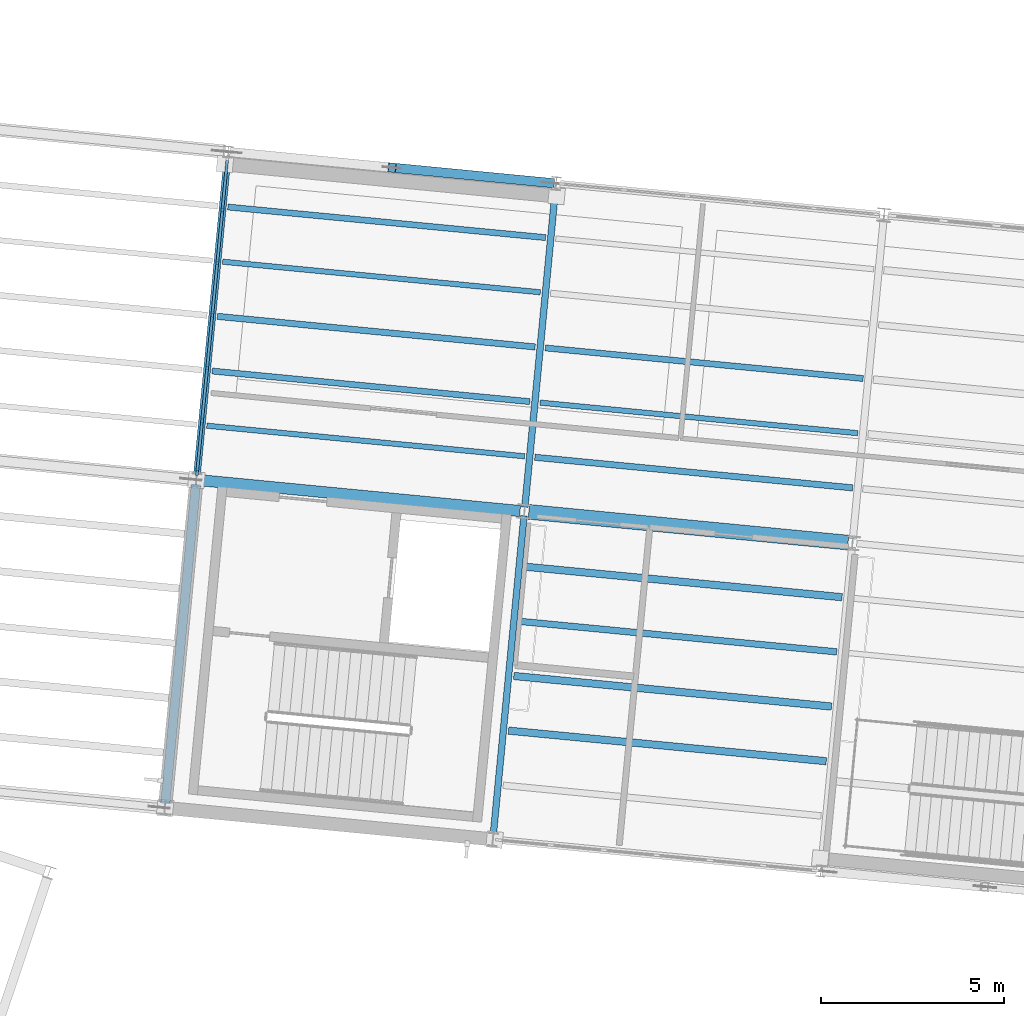
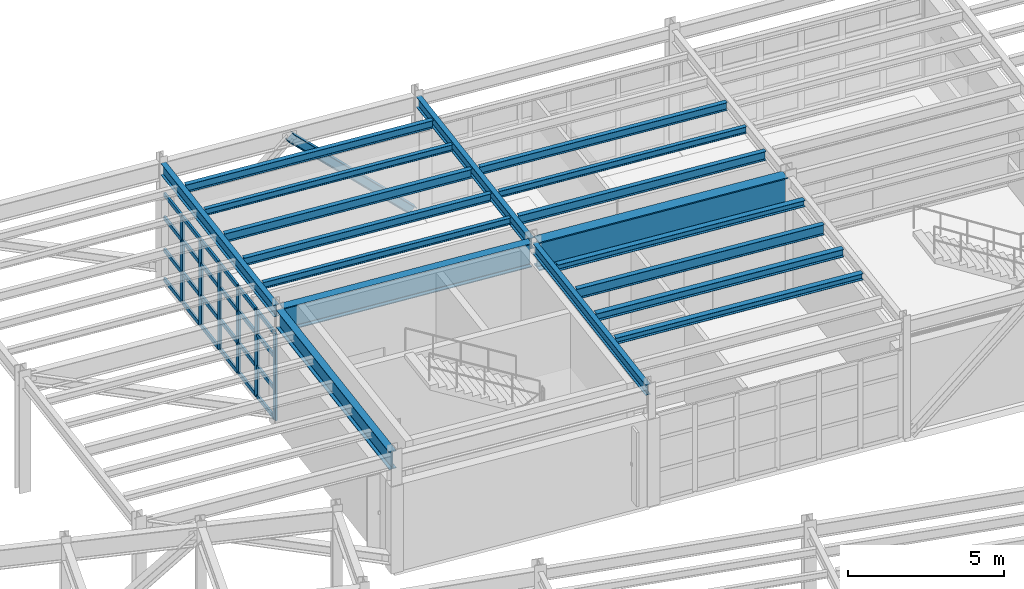
# One storey, part 47 of 109: 31 members, 18 beams, 1 element without a shape of its own.
"""IFC4 building model written with IfcOpenShell, lengths in metres."""

from ifc_helpers import new_model, si_unit, direction, frame, origin, origin_2d, place, context, subcontext, project, spatial, rectangle, i_section, extrude, material, layer, layer_set, material_profile, profile_set, type_object, element, aggregate, save


model = new_model("IFC4")

# Units and contexts
model_context = context("Model", 3, precision=1e-05, world=origin(), true_north=direction((0.0, 1.0)))
body_context = subcontext(model_context, "Body", "Model", "MODEL_VIEW")
ifc_project = project(units=[si_unit("LENGTHUNIT", "METRE"), si_unit("AREAUNIT", "SQUARE_METRE"), si_unit("VOLUMEUNIT", "CUBIC_METRE"), si_unit("PLANEANGLEUNIT", "RADIAN"), si_unit("MASSUNIT", "GRAM", prefix="KILO")], contexts=[model_context])

# Site, building, storey
site_placement = place(None, origin())
site = spatial("IfcSite", under=ifc_project, at=site_placement, CompositionType="ELEMENT")
building_placement = place(site_placement, origin())
building = spatial("IfcBuilding", under=site, at=building_placement, Name="Vireo Bluff Cable Station", CompositionType="ELEMENT")
storey_placement = place(building_placement, frame((0.0, 0.0, 4.800048828125)))
storey = spatial("IfcBuildingStorey", under=building, at=storey_placement, Name="L01", CompositionType="ELEMENT", Elevation=4.800048828125)

# Beams
ifc_material_1 = material(Name="Steel ASTM A992 Gr. 50", Category="steel")
ifc_material_profile_1 = material_profile(ifc_material_1, i_section(OverallWidth=0.178955078125, OverallDepth=0.408935546875, WebThickness=0.0087890625, FlangeThickness=0.014404296875, FilletRadius=0.010009765625, at=origin_2d()), Name="W16X45")
ifc_profile_set_1 = profile_set([ifc_material_profile_1], Name="Steel ASTM A992 Gr. 50")
beam_type_1 = type_object("IfcBeamType", Name="BM-W16X45", PredefinedType="BEAM", material=ifc_profile_set_1)
beam_1_placement = place(storey_placement, frame((76.708251953125, 66.2607421875, 4.33544921875), z_axis=(0.095844105487, 0.995396356957, 0.0), x_axis=(-0.995396356957, 0.095844105487, 0.0)))
element("IfcBeam", 1, at=beam_1_placement, inside=storey, type_object=beam_type_1, Name="V3 L01 beam 657", PredefinedType="BEAM", context=body_context, shape_type="SweptSolid", body=[
    extrude(i_section(OverallWidth=0.178955078125, OverallDepth=0.408935546875, WebThickness=0.0087890625, FlangeThickness=0.014404296875, FilletRadius=0.010009765625, at=origin_2d()), origin(), (0.0, 0.0, 1.0), 8.760009765625),
])
ifc_material_profile_2 = material_profile(ifc_material_1, i_section(OverallWidth=0.180908203125, OverallDepth=0.4169921875, WebThickness=0.010986328125, FlangeThickness=0.018310546875, FilletRadius=0.010009765625, at=origin_2d()), Name="W16X57")
ifc_profile_set_2 = profile_set([ifc_material_profile_2], Name="Steel ASTM A992 Gr. 50")
beam_type_2 = type_object("IfcBeamType", Name="BM-W16X57", PredefinedType="BEAM", material=ifc_profile_set_2)
beam_2_placement = place(storey_placement, frame((77.57080078125, 75.21923828125, 4.33154296875), z_axis=(0.095844105487, 0.995396356957, 0.0), x_axis=(-0.995396356957, 0.095844105487, 0.0)))
element("IfcBeam", 2, at=beam_2_placement, inside=storey, type_object=beam_type_2, Name="V3 L01 beam 658", PredefinedType="BEAM", context=body_context, shape_type="SweptSolid", body=[
    extrude(i_section(OverallWidth=0.180908203125, OverallDepth=0.4169921875, WebThickness=0.010986328125, FlangeThickness=0.018310546875, FilletRadius=0.010009765625, at=origin_2d()), origin(), (0.0, 0.0, 1.0), 8.760009765625),
])

# Member
ifc_material_profile_3 = material_profile(ifc_material_1, i_section(OverallWidth=0.25390625, OverallDepth=0.31005859375, WebThickness=0.009033203125, FlangeThickness=0.016357421875, FilletRadius=0.010986328125, at=origin_2d()), Name="W12X58")
ifc_profile_set_3 = profile_set([ifc_material_profile_3], Name="Steel ASTM A992 Gr. 50")
member_type_1 = type_object("IfcMemberType", Name="BRC-05", PredefinedType="BRACE", material=ifc_profile_set_3)
member_1_placement = place(storey_placement, frame((78.2626953125, 84.07373046875, 0.0400390625), z_axis=(-0.720263828031, 0.069360246565, 0.690224002934), x_axis=(-0.095854965264, -0.995395311238, 0.0)))
element("IfcMember", 3, at=member_1_placement, inside=storey, type_object=member_type_1, Name="V3 L01 concentric brace 52R", PredefinedType="BRACE", context=body_context, shape_type="SweptSolid", body=[
    extrude(i_section(OverallWidth=0.25390625, OverallDepth=0.31005859375, WebThickness=0.009033203125, FlangeThickness=0.016357421875, FilletRadius=0.010986328125, at=origin_2d()), origin(), (0.0, 0.0, 1.0), 5.997802734375),
])

# Curtain wall, members
ifc_material_2 = material(Name="Anodized Aluminium 6063-T6", Category="aluminium")
ifc_layer = layer(ifc_material_2, 0.179931640625, Name="Anodized Aluminium 6063-T6")
ifc_layer_set = layer_set([ifc_layer], Name="Anodized Aluminium 6063-T6")
curtain_wall_type = type_object("IfcCurtainWallType", Name="CW-UNIT-1500", PredefinedType="USERDEFINED", material=ifc_layer_set)
curtain_wall_placement = place(storey_placement, origin())
curtain_wall = element("IfcCurtainWall", 4, at=curtain_wall_placement, inside=storey, type_object=curtain_wall_type, Name="V3 L01 west curtain wall CW-073", ObjectType="UNITISED CURTAIN WALL", PredefinedType="USERDEFINED")
ifc_material_profile_4 = material_profile(ifc_material_2, rectangle(XDim=0.074951171875, YDim=0.2099609375, at=origin_2d()), Name="ALU-M-75X210")
ifc_profile_set_4 = profile_set([ifc_material_profile_4], Name="Anodized Aluminium 6063-T6")
member_type_2 = type_object("IfcMemberType", Name="CWM-02", PredefinedType="MULLION", material=ifc_profile_set_4)
member_2_placement = place(storey_placement, frame((68.621826171875, 76.182373046875, 0.0), z_axis=(0.0, 0.0, 1.0), x_axis=(-0.995396201203, 0.095845723073, 0.0)))
member_2 = element("IfcMember", 5, at=member_2_placement, type_object=member_type_2, Name="CW-073 mullion 1", PredefinedType="MULLION", context=body_context, shape_type="SweptSolid", body=[
    extrude(rectangle(XDim=0.074951171875, YDim=0.2099609375, at=origin_2d()), origin(), (0.0, 0.0, 1.0), 3.39990234375),
])
member_3_placement = place(storey_placement, frame((68.756591796875, 77.581787109375, 0.0), z_axis=(0.0, 0.0, 1.0), x_axis=(-0.995396201203, 0.095845723073, 0.0)))
member_3 = element("IfcMember", 6, at=member_3_placement, type_object=member_type_2, Name="CW-073 mullion 2", PredefinedType="MULLION", context=body_context, shape_type="SweptSolid", body=[
    extrude(rectangle(XDim=0.074951171875, YDim=0.2099609375, at=origin_2d()), origin(), (0.0, 0.0, 1.0), 3.39990234375),
])
member_4_placement = place(storey_placement, frame((68.89501953125, 79.018310546875, 0.0), z_axis=(0.0, 0.0, 1.0), x_axis=(-0.995396201203, 0.095845723073, 0.0)))
member_4 = element("IfcMember", 7, at=member_4_placement, type_object=member_type_2, Name="CW-073 mullion 3", PredefinedType="MULLION", context=body_context, shape_type="SweptSolid", body=[
    extrude(rectangle(XDim=0.074951171875, YDim=0.2099609375, at=origin_2d()), origin(), (0.0, 0.0, 1.0), 3.39990234375),
])
member_5_placement = place(storey_placement, frame((69.033203125, 80.454833984375, 0.0), z_axis=(0.0, 0.0, 1.0), x_axis=(-0.995396201203, 0.095845723073, 0.0)))
member_5 = element("IfcMember", 8, at=member_5_placement, type_object=member_type_2, Name="CW-073 mullion 4", PredefinedType="MULLION", context=body_context, shape_type="SweptSolid", body=[
    extrude(rectangle(XDim=0.074951171875, YDim=0.2099609375, at=origin_2d()), origin(), (0.0, 0.0, 1.0), 3.39990234375),
])
member_6_placement = place(storey_placement, frame((69.171630859375, 81.8916015625, 0.0), z_axis=(0.0, 0.0, 1.0), x_axis=(-0.995396201203, 0.095845723073, 0.0)))
member_6 = element("IfcMember", 9, at=member_6_placement, type_object=member_type_2, Name="CW-073 mullion 5", PredefinedType="MULLION", context=body_context, shape_type="SweptSolid", body=[
    extrude(rectangle(XDim=0.074951171875, YDim=0.2099609375, at=origin_2d()), origin(), (0.0, 0.0, 1.0), 3.39990234375),
])
member_7_placement = place(storey_placement, frame((69.31005859375, 83.328125, 0.0), z_axis=(0.0, 0.0, 1.0), x_axis=(-0.995396201203, 0.095845723073, 0.0)))
member_7 = element("IfcMember", 10, at=member_7_placement, type_object=member_type_2, Name="CW-073 mullion 6", PredefinedType="MULLION", context=body_context, shape_type="SweptSolid", body=[
    extrude(rectangle(XDim=0.074951171875, YDim=0.2099609375, at=origin_2d()), origin(), (0.0, 0.0, 1.0), 3.39990234375),
])
ifc_material_profile_5 = material_profile(ifc_material_2, rectangle(XDim=0.074951171875, YDim=0.159912109375, at=origin_2d()), Name="ALU-T-75X160")
ifc_profile_set_5 = profile_set([ifc_material_profile_5], Name="Anodized Aluminium 6063-T6")
member_type_3 = type_object("IfcMemberType", Name="CWT-02", PredefinedType="USERDEFINED", material=ifc_profile_set_5)
member_8_placement = place(storey_placement, frame((68.62548828125, 76.2197265625, 0.037353515625), z_axis=(0.095761344682, 0.995404322306, 0.0), x_axis=(-0.995404322306, 0.095761344682, 0.0)))
member_8 = element("IfcMember", 11, at=member_8_placement, type_object=member_type_3, Name="CW-073 transom 1.1", ObjectType="TRANSOM", PredefinedType="USERDEFINED", context=body_context, shape_type="SweptSolid", body=[
    extrude(rectangle(XDim=0.074951171875, YDim=0.159912109375, at=origin_2d()), origin(), (0.0, 0.0, 1.0), 1.330810546875),
])
member_9_placement = place(storey_placement, frame((68.62548828125, 76.2197265625, 1.18994140625), z_axis=(0.095761344682, 0.995404322306, 0.0), x_axis=(-0.995404322306, 0.095761344682, 0.0)))
member_9 = element("IfcMember", 12, at=member_9_placement, type_object=member_type_3, Name="CW-073 transom 1.2", ObjectType="TRANSOM", PredefinedType="USERDEFINED", context=body_context, shape_type="SweptSolid", body=[
    extrude(rectangle(XDim=0.074951171875, YDim=0.159912109375, at=origin_2d()), origin(), (0.0, 0.0, 1.0), 1.330810546875),
])
member_10_placement = place(storey_placement, frame((68.62548828125, 76.2197265625, 2.447998046875), z_axis=(0.095761344682, 0.995404322306, 0.0), x_axis=(-0.995404322306, 0.095761344682, 0.0)))
member_10 = element("IfcMember", 13, at=member_10_placement, type_object=member_type_3, Name="CW-073 transom 1.3", ObjectType="TRANSOM", PredefinedType="USERDEFINED", context=body_context, shape_type="SweptSolid", body=[
    extrude(rectangle(XDim=0.074951171875, YDim=0.159912109375, at=origin_2d()), origin(), (0.0, 0.0, 1.0), 1.330810546875),
])
member_11_placement = place(storey_placement, frame((68.62548828125, 76.2197265625, 3.362548828125), z_axis=(0.095761344682, 0.995404322306, 0.0), x_axis=(-0.995404322306, 0.095761344682, 0.0)))
member_11 = element("IfcMember", 14, at=member_11_placement, type_object=member_type_3, Name="CW-073 transom 1.4", ObjectType="TRANSOM", PredefinedType="USERDEFINED", context=body_context, shape_type="SweptSolid", body=[
    extrude(rectangle(XDim=0.074951171875, YDim=0.159912109375, at=origin_2d()), origin(), (0.0, 0.0, 1.0), 1.330810546875),
])
member_12_placement = place(storey_placement, frame((68.76025390625, 77.619140625, 0.037353515625), z_axis=(0.095828016408, 0.995397906001, 0.0), x_axis=(-0.995397906001, 0.095828016408, 0.0)))
member_12 = element("IfcMember", 15, at=member_12_placement, type_object=member_type_3, Name="CW-073 transom 2.1", ObjectType="TRANSOM", PredefinedType="USERDEFINED", context=body_context, shape_type="SweptSolid", body=[
    extrude(rectangle(XDim=0.074951171875, YDim=0.159912109375, at=origin_2d()), origin(), (0.0, 0.0, 1.0), 1.3681640625),
])
member_13_placement = place(storey_placement, frame((68.76025390625, 77.619140625, 1.18994140625), z_axis=(0.095828016408, 0.995397906001, 0.0), x_axis=(-0.995397906001, 0.095828016408, 0.0)))
member_13 = element("IfcMember", 16, at=member_13_placement, type_object=member_type_3, Name="CW-073 transom 2.2", ObjectType="TRANSOM", PredefinedType="USERDEFINED", context=body_context, shape_type="SweptSolid", body=[
    extrude(rectangle(XDim=0.074951171875, YDim=0.159912109375, at=origin_2d()), origin(), (0.0, 0.0, 1.0), 1.3681640625),
])
member_14_placement = place(storey_placement, frame((68.76025390625, 77.619140625, 2.447998046875), z_axis=(0.095828016408, 0.995397906001, 0.0), x_axis=(-0.995397906001, 0.095828016408, 0.0)))
member_14 = element("IfcMember", 17, at=member_14_placement, type_object=member_type_3, Name="CW-073 transom 2.3", ObjectType="TRANSOM", PredefinedType="USERDEFINED", context=body_context, shape_type="SweptSolid", body=[
    extrude(rectangle(XDim=0.074951171875, YDim=0.159912109375, at=origin_2d()), origin(), (0.0, 0.0, 1.0), 1.3681640625),
])
member_15_placement = place(storey_placement, frame((68.76025390625, 77.619140625, 3.362548828125), z_axis=(0.095828016408, 0.995397906001, 0.0), x_axis=(-0.995397906001, 0.095828016408, 0.0)))
member_15 = element("IfcMember", 18, at=member_15_placement, type_object=member_type_3, Name="CW-073 transom 2.4", ObjectType="TRANSOM", PredefinedType="USERDEFINED", context=body_context, shape_type="SweptSolid", body=[
    extrude(rectangle(XDim=0.074951171875, YDim=0.159912109375, at=origin_2d()), origin(), (0.0, 0.0, 1.0), 1.3681640625),
])
member_16_placement = place(storey_placement, frame((68.8984375, 79.0556640625, 0.037353515625), z_axis=(0.096004823838, 0.995380868713, 0.0), x_axis=(-0.995380868713, 0.096004823838, 0.0)))
member_16 = element("IfcMember", 19, at=member_16_placement, type_object=member_type_3, Name="CW-073 transom 3.1", ObjectType="TRANSOM", PredefinedType="USERDEFINED", context=body_context, shape_type="SweptSolid", body=[
    extrude(rectangle(XDim=0.074951171875, YDim=0.159912109375, at=origin_2d()), origin(), (0.0, 0.0, 1.0), 1.3681640625),
])
member_17_placement = place(storey_placement, frame((68.8984375, 79.0556640625, 1.18994140625), z_axis=(0.096004823838, 0.995380868713, 0.0), x_axis=(-0.995380868713, 0.096004823838, 0.0)))
member_17 = element("IfcMember", 20, at=member_17_placement, type_object=member_type_3, Name="CW-073 transom 3.2", ObjectType="TRANSOM", PredefinedType="USERDEFINED", context=body_context, shape_type="SweptSolid", body=[
    extrude(rectangle(XDim=0.074951171875, YDim=0.159912109375, at=origin_2d()), origin(), (0.0, 0.0, 1.0), 1.3681640625),
])
member_18_placement = place(storey_placement, frame((68.8984375, 79.0556640625, 2.447998046875), z_axis=(0.096004823838, 0.995380868713, 0.0), x_axis=(-0.995380868713, 0.096004823838, 0.0)))
member_18 = element("IfcMember", 21, at=member_18_placement, type_object=member_type_3, Name="CW-073 transom 3.3", ObjectType="TRANSOM", PredefinedType="USERDEFINED", context=body_context, shape_type="SweptSolid", body=[
    extrude(rectangle(XDim=0.074951171875, YDim=0.159912109375, at=origin_2d()), origin(), (0.0, 0.0, 1.0), 1.3681640625),
])
member_19_placement = place(storey_placement, frame((68.8984375, 79.0556640625, 3.362548828125), z_axis=(0.096004823838, 0.995380868713, 0.0), x_axis=(-0.995380868713, 0.096004823838, 0.0)))
member_19 = element("IfcMember", 22, at=member_19_placement, type_object=member_type_3, Name="CW-073 transom 3.4", ObjectType="TRANSOM", PredefinedType="USERDEFINED", context=body_context, shape_type="SweptSolid", body=[
    extrude(rectangle(XDim=0.074951171875, YDim=0.159912109375, at=origin_2d()), origin(), (0.0, 0.0, 1.0), 1.3681640625),
])
member_20_placement = place(storey_placement, frame((69.036865234375, 80.4921875, 0.037353515625), z_axis=(0.09581099754, 0.995399544279, 0.0), x_axis=(-0.995399544279, 0.09581099754, 0.0)))
member_20 = element("IfcMember", 23, at=member_20_placement, type_object=member_type_3, Name="CW-073 transom 4.1", ObjectType="TRANSOM", PredefinedType="USERDEFINED", context=body_context, shape_type="SweptSolid", body=[
    extrude(rectangle(XDim=0.074951171875, YDim=0.159912109375, at=origin_2d()), origin(), (0.0, 0.0, 1.0), 1.368408203125),
])
member_21_placement = place(storey_placement, frame((69.036865234375, 80.4921875, 1.18994140625), z_axis=(0.09581099754, 0.995399544279, 0.0), x_axis=(-0.995399544279, 0.09581099754, 0.0)))
member_21 = element("IfcMember", 24, at=member_21_placement, type_object=member_type_3, Name="CW-073 transom 4.2", ObjectType="TRANSOM", PredefinedType="USERDEFINED", context=body_context, shape_type="SweptSolid", body=[
    extrude(rectangle(XDim=0.074951171875, YDim=0.159912109375, at=origin_2d()), origin(), (0.0, 0.0, 1.0), 1.368408203125),
])
member_22_placement = place(storey_placement, frame((69.036865234375, 80.4921875, 2.447998046875), z_axis=(0.09581099754, 0.995399544279, 0.0), x_axis=(-0.995399544279, 0.09581099754, 0.0)))
member_22 = element("IfcMember", 25, at=member_22_placement, type_object=member_type_3, Name="CW-073 transom 4.3", ObjectType="TRANSOM", PredefinedType="USERDEFINED", context=body_context, shape_type="SweptSolid", body=[
    extrude(rectangle(XDim=0.074951171875, YDim=0.159912109375, at=origin_2d()), origin(), (0.0, 0.0, 1.0), 1.368408203125),
])
member_23_placement = place(storey_placement, frame((69.036865234375, 80.4921875, 3.362548828125), z_axis=(0.09581099754, 0.995399544279, 0.0), x_axis=(-0.995399544279, 0.09581099754, 0.0)))
member_23 = element("IfcMember", 26, at=member_23_placement, type_object=member_type_3, Name="CW-073 transom 4.4", ObjectType="TRANSOM", PredefinedType="USERDEFINED", context=body_context, shape_type="SweptSolid", body=[
    extrude(rectangle(XDim=0.074951171875, YDim=0.159912109375, at=origin_2d()), origin(), (0.0, 0.0, 1.0), 1.368408203125),
])
member_24_placement = place(storey_placement, frame((69.17529296875, 81.928955078125, 0.037353515625), z_axis=(0.095828016408, 0.995397906001, 0.0), x_axis=(-0.995397906001, 0.095828016408, 0.0)))
member_24 = element("IfcMember", 27, at=member_24_placement, type_object=member_type_3, Name="CW-073 transom 5.1", ObjectType="TRANSOM", PredefinedType="USERDEFINED", context=body_context, shape_type="SweptSolid", body=[
    extrude(rectangle(XDim=0.074951171875, YDim=0.159912109375, at=origin_2d()), origin(), (0.0, 0.0, 1.0), 1.3681640625),
])
member_25_placement = place(storey_placement, frame((69.17529296875, 81.928955078125, 1.18994140625), z_axis=(0.095828016408, 0.995397906001, 0.0), x_axis=(-0.995397906001, 0.095828016408, 0.0)))
member_25 = element("IfcMember", 28, at=member_25_placement, type_object=member_type_3, Name="CW-073 transom 5.2", ObjectType="TRANSOM", PredefinedType="USERDEFINED", context=body_context, shape_type="SweptSolid", body=[
    extrude(rectangle(XDim=0.074951171875, YDim=0.159912109375, at=origin_2d()), origin(), (0.0, 0.0, 1.0), 1.3681640625),
])
member_26_placement = place(storey_placement, frame((69.17529296875, 81.928955078125, 2.447998046875), z_axis=(0.095828016408, 0.995397906001, 0.0), x_axis=(-0.995397906001, 0.095828016408, 0.0)))
member_26 = element("IfcMember", 29, at=member_26_placement, type_object=member_type_3, Name="CW-073 transom 5.3", ObjectType="TRANSOM", PredefinedType="USERDEFINED", context=body_context, shape_type="SweptSolid", body=[
    extrude(rectangle(XDim=0.074951171875, YDim=0.159912109375, at=origin_2d()), origin(), (0.0, 0.0, 1.0), 1.3681640625),
])
member_27_placement = place(storey_placement, frame((69.17529296875, 81.928955078125, 3.362548828125), z_axis=(0.095828016408, 0.995397906001, 0.0), x_axis=(-0.995397906001, 0.095828016408, 0.0)))
member_27 = element("IfcMember", 30, at=member_27_placement, type_object=member_type_3, Name="CW-073 transom 5.4", ObjectType="TRANSOM", PredefinedType="USERDEFINED", context=body_context, shape_type="SweptSolid", body=[
    extrude(rectangle(XDim=0.074951171875, YDim=0.159912109375, at=origin_2d()), origin(), (0.0, 0.0, 1.0), 1.3681640625),
])
member_28_placement = place(storey_placement, frame((69.3134765625, 83.365478515625, 0.037353515625), z_axis=(0.095943108454, 0.995386819252, 0.0), x_axis=(-0.995386819252, 0.095943108454, 0.0)))
member_28 = element("IfcMember", 31, at=member_28_placement, type_object=member_type_3, Name="CW-073 transom 6.1", ObjectType="TRANSOM", PredefinedType="USERDEFINED", context=body_context, shape_type="SweptSolid", body=[
    extrude(rectangle(XDim=0.074951171875, YDim=0.159912109375, at=origin_2d()), origin(), (0.0, 0.0, 1.0), 1.330810546875),
])
member_29_placement = place(storey_placement, frame((69.3134765625, 83.365478515625, 1.18994140625), z_axis=(0.095943108454, 0.995386819252, 0.0), x_axis=(-0.995386819252, 0.095943108454, 0.0)))
member_29 = element("IfcMember", 32, at=member_29_placement, type_object=member_type_3, Name="CW-073 transom 6.2", ObjectType="TRANSOM", PredefinedType="USERDEFINED", context=body_context, shape_type="SweptSolid", body=[
    extrude(rectangle(XDim=0.074951171875, YDim=0.159912109375, at=origin_2d()), origin(), (0.0, 0.0, 1.0), 1.330810546875),
])
member_30_placement = place(storey_placement, frame((69.3134765625, 83.365478515625, 2.447998046875), z_axis=(0.095943108454, 0.995386819252, 0.0), x_axis=(-0.995386819252, 0.095943108454, 0.0)))
member_30 = element("IfcMember", 33, at=member_30_placement, type_object=member_type_3, Name="CW-073 transom 6.3", ObjectType="TRANSOM", PredefinedType="USERDEFINED", context=body_context, shape_type="SweptSolid", body=[
    extrude(rectangle(XDim=0.074951171875, YDim=0.159912109375, at=origin_2d()), origin(), (0.0, 0.0, 1.0), 1.330810546875),
])
member_31_placement = place(storey_placement, frame((69.3134765625, 83.365478515625, 3.362548828125), z_axis=(0.095943108454, 0.995386819252, 0.0), x_axis=(-0.995386819252, 0.095943108454, 0.0)))
member_31 = element("IfcMember", 34, at=member_31_placement, type_object=member_type_3, Name="CW-073 transom 6.4", ObjectType="TRANSOM", PredefinedType="USERDEFINED", context=body_context, shape_type="SweptSolid", body=[
    extrude(rectangle(XDim=0.074951171875, YDim=0.159912109375, at=origin_2d()), origin(), (0.0, 0.0, 1.0), 1.330810546875),
])
aggregate(curtain_wall, [member_2, member_3, member_4, member_5, member_6, member_7, member_8, member_9, member_10, member_11, member_12, member_13, member_14, member_15, member_16, member_17, member_18, member_19, member_20, member_21, member_22, member_23, member_24, member_25, member_26, member_27, member_28, member_29, member_30, member_31])

# Beams
ifc_material_profile_6 = material_profile(ifc_material_1, i_section(OverallWidth=0.306884765625, OverallDepth=0.927001953125, WebThickness=0.019287109375, FlangeThickness=0.031982421875, FilletRadius=0.02001953125, at=origin_2d()), Name="W36X194")
ifc_profile_set_6 = profile_set([ifc_material_profile_6], Name="Steel ASTM A992 Gr. 50")
beam_type_3 = type_object("IfcBeamType", Name="GIR-W36X194", PredefinedType="USERDEFINED", material=ifc_profile_set_6)
beam_3_placement = place(storey_placement, frame((68.72021484375, 75.950927734375, 4.076416015625), z_axis=(0.995396356957, -0.095844105487, 0.0), x_axis=(0.095844105487, 0.995396356957, 0.0)))
element("IfcBeam", 35, at=beam_3_placement, inside=storey, type_object=beam_type_3, Name="V3 L01 girder 647", ObjectType="GIRDER", PredefinedType="USERDEFINED", context=body_context, shape_type="SweptSolid", body=[
    extrude(i_section(OverallWidth=0.306884765625, OverallDepth=0.927001953125, WebThickness=0.019287109375, FlangeThickness=0.031982421875, FilletRadius=0.02001953125, at=origin_2d()), origin(), (0.0, 0.0, 1.0), 8.760009765625),
])
ifc_material_profile_7 = material_profile(ifc_material_1, i_section(OverallWidth=0.404052734375, OverallDepth=1.117919921875, WebThickness=0.026123046875, FlangeThickness=0.044921875, FilletRadius=0.02197265625, at=origin_2d()), Name="W44X335")
ifc_profile_set_7 = profile_set([ifc_material_profile_7], Name="Steel ASTM A992 Gr. 50")
beam_type_4 = type_object("IfcBeamType", Name="GIR-W44X335", PredefinedType="USERDEFINED", material=ifc_profile_set_7)
beam_4_placement = place(storey_placement, frame((77.6787109375, 75.08837890625, 3.98095703125), z_axis=(0.995396356957, -0.095844105487, 0.0), x_axis=(0.095844105487, 0.995396356957, 0.0)))
element("IfcBeam", 36, at=beam_4_placement, inside=storey, type_object=beam_type_4, Name="V3 L01 girder 648", ObjectType="GIRDER", PredefinedType="USERDEFINED", context=body_context, shape_type="SweptSolid", body=[
    extrude(i_section(OverallWidth=0.404052734375, OverallDepth=1.117919921875, WebThickness=0.026123046875, FlangeThickness=0.044921875, FilletRadius=0.02197265625, at=origin_2d()), origin(), (0.0, 0.0, 1.0), 8.760009765625),
])
ifc_material_profile_8 = material_profile(ifc_material_1, i_section(OverallWidth=0.14599609375, OverallDepth=0.259033203125, WebThickness=0.006103515625, FlangeThickness=0.009033203125, FilletRadius=0.009033203125, at=origin_2d()), Name="W10X22")
ifc_profile_set_8 = profile_set([ifc_material_profile_8], Name="Steel ASTM A992 Gr. 50")
beam_type_5 = type_object("IfcBeamType", Name="JST-W10X22", PredefinedType="JOIST", material=ifc_profile_set_8)
beam_5_placement = place(storey_placement, frame((68.8837890625, 77.442138671875, 4.410400390625), z_axis=(0.995397172011, -0.095835640306, 0.0), x_axis=(0.095835640306, 0.995397172011, 0.0)))
element("IfcBeam", 37, at=beam_5_placement, inside=storey, type_object=beam_type_5, Name="V3 L01 composite joist 665", PredefinedType="JOIST", context=body_context, shape_type="SweptSolid", body=[
    extrude(i_section(OverallWidth=0.14599609375, OverallDepth=0.259033203125, WebThickness=0.006103515625, FlangeThickness=0.009033203125, FilletRadius=0.009033203125, at=origin_2d()), origin(), (0.0, 0.0, 1.0), 8.719970703125),
])
beam_6_placement = place(storey_placement, frame((69.315185546875, 81.92138671875, 4.410400390625), z_axis=(0.995396914857, -0.095838311194, 0.0), x_axis=(0.095838311194, 0.995396914857, 0.0)))
element("IfcBeam", 38, at=beam_6_placement, inside=storey, type_object=beam_type_5, Name="V3 L01 composite joist 668", PredefinedType="JOIST", context=body_context, shape_type="SweptSolid", body=[
    extrude(i_section(OverallWidth=0.14599609375, OverallDepth=0.259033203125, WebThickness=0.006103515625, FlangeThickness=0.009033203125, FilletRadius=0.009033203125, at=origin_2d()), origin(), (0.0, 0.0, 1.0), 8.7197265625),
])
beam_7_placement = place(storey_placement, frame((77.986083984375, 78.072509765625, 4.410400390625), z_axis=(0.995397172011, -0.095835640306, 0.0), x_axis=(0.095835640306, 0.995397172011, 0.0)))
element("IfcBeam", 39, at=beam_7_placement, inside=storey, type_object=beam_type_5, Name="V3 L01 composite joist 676", PredefinedType="JOIST", context=body_context, shape_type="SweptSolid", body=[
    extrude(i_section(OverallWidth=0.14599609375, OverallDepth=0.259033203125, WebThickness=0.006103515625, FlangeThickness=0.009033203125, FilletRadius=0.009033203125, at=origin_2d()), origin(), (0.0, 0.0, 1.0), 8.719970703125),
])
ifc_material_profile_9 = material_profile(ifc_material_1, i_section(OverallWidth=0.201904296875, OverallDepth=0.2470703125, WebThickness=0.00732421875, FlangeThickness=0.010986328125, FilletRadius=0.009033203125, at=origin_2d()), Name="W10X33")
ifc_profile_set_9 = profile_set([ifc_material_profile_9], Name="Steel ASTM A992 Gr. 50")
beam_type_6 = type_object("IfcBeamType", Name="JST-W10X33", PredefinedType="JOIST", material=ifc_profile_set_9)
beam_8_placement = place(storey_placement, frame((77.12353515625, 69.114013671875, 4.41650390625), z_axis=(0.995397172011, -0.095835640306, 0.0), x_axis=(0.095835640306, 0.995397172011, 0.0)))
element("IfcBeam", 40, at=beam_8_placement, inside=storey, type_object=beam_type_6, Name="V3 L01 composite joist 671", PredefinedType="JOIST", context=body_context, shape_type="SweptSolid", body=[
    extrude(i_section(OverallWidth=0.201904296875, OverallDepth=0.2470703125, WebThickness=0.00732421875, FlangeThickness=0.010986328125, FilletRadius=0.009033203125, at=origin_2d()), origin(), (0.0, 0.0, 1.0), 8.719970703125),
])
beam_9_placement = place(storey_placement, frame((77.554931640625, 73.59326171875, 4.41650390625), z_axis=(0.995396914857, -0.095838311194, 0.0), x_axis=(0.095838311194, 0.995396914857, 0.0)))
element("IfcBeam", 41, at=beam_9_placement, inside=storey, type_object=beam_type_6, Name="V3 L01 composite joist 674", PredefinedType="JOIST", context=body_context, shape_type="SweptSolid", body=[
    extrude(i_section(OverallWidth=0.201904296875, OverallDepth=0.2470703125, WebThickness=0.00732421875, FlangeThickness=0.010986328125, FilletRadius=0.009033203125, at=origin_2d()), origin(), (0.0, 0.0, 1.0), 8.7197265625),
])
ifc_material_profile_10 = material_profile(ifc_material_1, i_section(OverallWidth=0.1650390625, OverallDepth=0.31005859375, WebThickness=0.005859375, FlangeThickness=0.009765625, FilletRadius=0.010009765625, at=origin_2d()), Name="W12X26")
ifc_profile_set_10 = profile_set([ifc_material_profile_10], Name="Steel ASTM A992 Gr. 50")
beam_type_7 = type_object("IfcBeamType", Name="JST-W12X26", PredefinedType="JOIST", material=ifc_profile_set_10)
for number, where, z_axis, x_axis, name in (
    (42, (69.027587890625, 78.935302734375, 4.385009765625), (0.995394500818, -0.095863380609, 0.0), (0.095863380609, 0.995394500818, 0.0), "V3 L01 composite joist 666"),
    (43, (69.458984375, 83.41455078125, 4.385009765625), (0.995394243516, -0.095866052256, 0.0), (0.095866052256, 0.995394243516, 0.0), "V3 L01 composite joist 669"),
    (44, (78.1298828125, 79.565673828125, 4.385009765625), (0.995397172011, -0.095835640306, 0.0), (0.095835640306, 0.995397172011, 0.0), "V3 L01 composite joist 677"),
):
    element("IfcBeam", number, at=place(storey_placement, frame(where, z_axis=z_axis, x_axis=x_axis)), inside=storey, type_object=beam_type_7, Name=name, PredefinedType="JOIST", context=body_context, shape_type="SweptSolid", body=[
        extrude(i_section(OverallWidth=0.1650390625, OverallDepth=0.31005859375, WebThickness=0.005859375, FlangeThickness=0.009765625, FilletRadius=0.010009765625, at=origin_2d()), origin(), (0.0, 0.0, 1.0), 8.719970703125),
    ])
ifc_material_profile_11 = material_profile(ifc_material_1, i_section(OverallWidth=0.202880859375, OverallDepth=0.302978515625, WebThickness=0.007568359375, FlangeThickness=0.01318359375, FilletRadius=0.010009765625, at=origin_2d()), Name="W12X40")
ifc_profile_set_11 = profile_set([ifc_material_profile_11], Name="Steel ASTM A992 Gr. 50")
beam_type_8 = type_object("IfcBeamType", Name="JST-W12X40", PredefinedType="JOIST", material=ifc_profile_set_11)
beam_10_placement = place(storey_placement, frame((77.267333984375, 70.607177734375, 4.388427734375), z_axis=(0.995394500818, -0.095863380609, 0.0), x_axis=(0.095863380609, 0.995394500818, 0.0)))
element("IfcBeam", 45, at=beam_10_placement, inside=storey, type_object=beam_type_8, Name="V3 L01 composite joist 672", PredefinedType="JOIST", context=body_context, shape_type="SweptSolid", body=[
    extrude(i_section(OverallWidth=0.202880859375, OverallDepth=0.302978515625, WebThickness=0.007568359375, FlangeThickness=0.01318359375, FilletRadius=0.010009765625, at=origin_2d()), origin(), (0.0, 0.0, 1.0), 8.719970703125),
])
ifc_material_profile_12 = material_profile(ifc_material_1, i_section(OverallWidth=0.1708984375, OverallDepth=0.35107421875, WebThickness=0.0068359375, FlangeThickness=0.009765625, FilletRadius=0.010009765625, at=origin_2d()), Name="W14X30")
ifc_profile_set_12 = profile_set([ifc_material_profile_12], Name="Steel ASTM A992 Gr. 50")
beam_type_9 = type_object("IfcBeamType", Name="JST-W14X30", PredefinedType="JOIST", material=ifc_profile_set_12)
for number, where, z_axis, x_axis, name in (
    (46, (69.17138671875, 80.42822265625, 4.364501953125), (0.995397172011, -0.095835640306, 0.0), (0.095835640306, 0.995397172011, 0.0), "V3 L01 composite joist 667"),
    (47, (77.84228515625, 76.57958984375, 4.364501953125), (0.995394500818, -0.095863380609, 0.0), (0.095863380609, 0.995394500818, 0.0), "V3 L01 composite joist 675"),
):
    element("IfcBeam", number, at=place(storey_placement, frame(where, z_axis=z_axis, x_axis=x_axis)), inside=storey, type_object=beam_type_9, Name=name, PredefinedType="JOIST", context=body_context, shape_type="SweptSolid", body=[
        extrude(i_section(OverallWidth=0.1708984375, OverallDepth=0.35107421875, WebThickness=0.0068359375, FlangeThickness=0.009765625, FilletRadius=0.010009765625, at=origin_2d()), origin(), (0.0, 0.0, 1.0), 8.719970703125),
    ])
ifc_material_profile_13 = material_profile(ifc_material_1, i_section(OverallWidth=0.177978515625, OverallDepth=0.404052734375, WebThickness=0.007568359375, FlangeThickness=0.010986328125, FilletRadius=0.010009765625, at=origin_2d()), Name="W16X36")
ifc_profile_set_13 = profile_set([ifc_material_profile_13], Name="Steel ASTM A992 Gr. 50")
beam_type_10 = type_object("IfcBeamType", Name="JST-W16X36", PredefinedType="JOIST", material=ifc_profile_set_13)
beam_11_placement = place(storey_placement, frame((77.4111328125, 72.100341796875, 4.337890625), z_axis=(0.995394500818, -0.095863380609, 0.0), x_axis=(0.095863380609, 0.995394500818, 0.0)))
element("IfcBeam", 48, at=beam_11_placement, inside=storey, type_object=beam_type_10, Name="V3 L01 composite joist 673", PredefinedType="JOIST", context=body_context, shape_type="SweptSolid", body=[
    extrude(i_section(OverallWidth=0.177978515625, OverallDepth=0.404052734375, WebThickness=0.007568359375, FlangeThickness=0.010986328125, FilletRadius=0.010009765625, at=origin_2d()), origin(), (0.0, 0.0, 1.0), 8.719970703125),
])
ifc_material_profile_14 = material_profile(ifc_material_1, i_section(OverallWidth=0.19091796875, OverallDepth=0.45703125, WebThickness=0.009033203125, FlangeThickness=0.014404296875, FilletRadius=0.011962890625, at=origin_2d()), Name="W18X50")
ifc_profile_set_14 = profile_set([ifc_material_profile_14], Name="Steel ASTM A992 Gr. 50")
beam_type_11 = type_object("IfcBeamType", Name="SPN-W18X50", PredefinedType="SPANDREL", material=ifc_profile_set_14)
beam_12_placement = place(storey_placement, frame((68.6123046875, 76.081787109375, 4.3115234375), z_axis=(0.095844105487, 0.995396356957, 0.0), x_axis=(-0.995396356957, 0.095844105487, 0.0)))
element("IfcBeam", 49, at=beam_12_placement, inside=storey, type_object=beam_type_11, Name="V3 L01 spandrel 656", PredefinedType="SPANDREL", context=body_context, shape_type="SweptSolid", body=[
    extrude(i_section(OverallWidth=0.19091796875, OverallDepth=0.45703125, WebThickness=0.009033203125, FlangeThickness=0.014404296875, FilletRadius=0.011962890625, at=origin_2d()), origin(), (0.0, 0.0, 1.0), 8.760009765625),
])
ifc_material_profile_15 = material_profile(ifc_material_1, i_section(OverallWidth=0.257080078125, OverallDepth=0.693115234375, WebThickness=0.014404296875, FlangeThickness=0.023681640625, FilletRadius=0.014892578125, at=origin_2d()), Name="W27X114")
ifc_profile_set_15 = profile_set([ifc_material_profile_15], Name="Steel ASTM A992 Gr. 50")
beam_type_12 = type_object("IfcBeamType", Name="SPN-W27X114", PredefinedType="SPANDREL", material=ifc_profile_set_15)
beam_13_placement = place(storey_placement, frame((67.74951171875, 67.123291015625, 4.193359375), z_axis=(0.095844105487, 0.995396356957, 0.0), x_axis=(-0.995396356957, 0.095844105487, 0.0)))
element("IfcBeam", 50, at=beam_13_placement, inside=storey, type_object=beam_type_12, Name="V3 L01 spandrel 655", PredefinedType="SPANDREL", context=body_context, shape_type="SweptSolid", body=[
    extrude(i_section(OverallWidth=0.257080078125, OverallDepth=0.693115234375, WebThickness=0.014404296875, FlangeThickness=0.023681640625, FilletRadius=0.014892578125, at=origin_2d()), origin(), (0.0, 0.0, 1.0), 8.760009765625),
])

save(model, "model.ifc")
